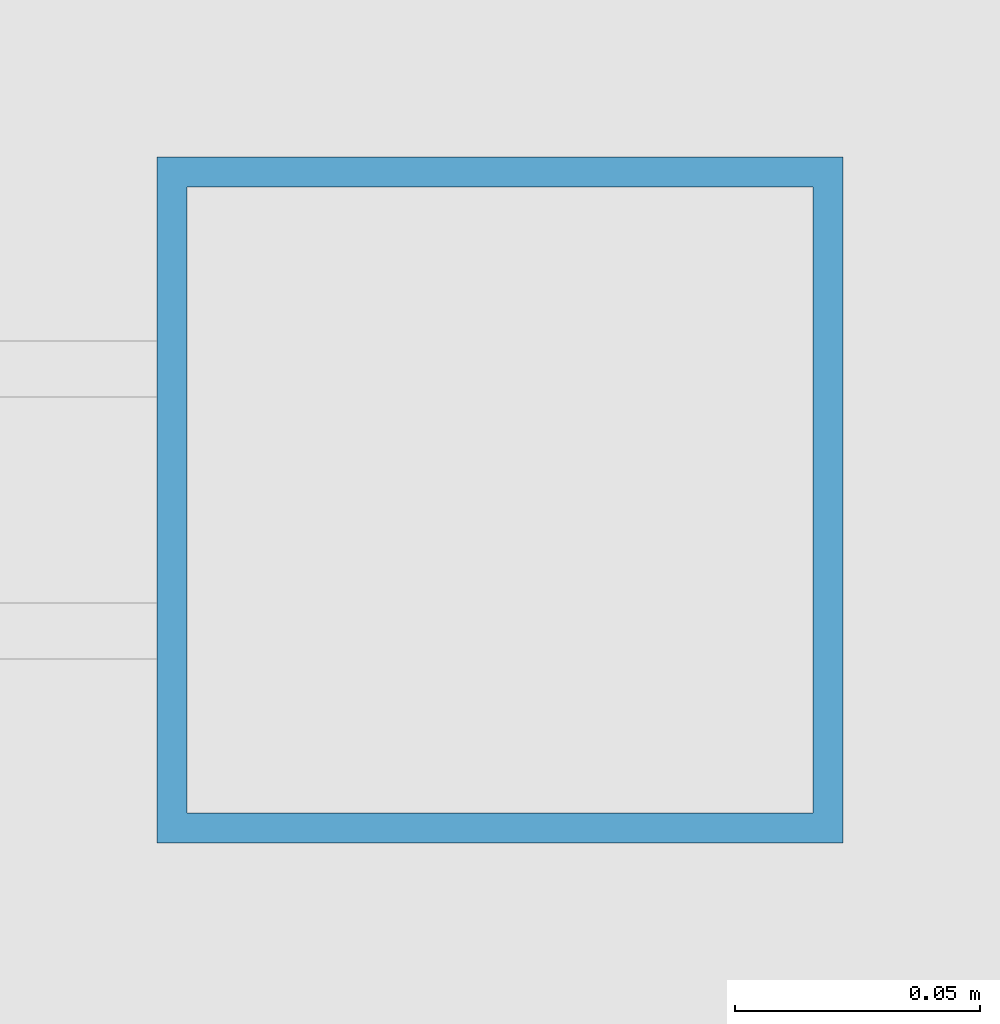
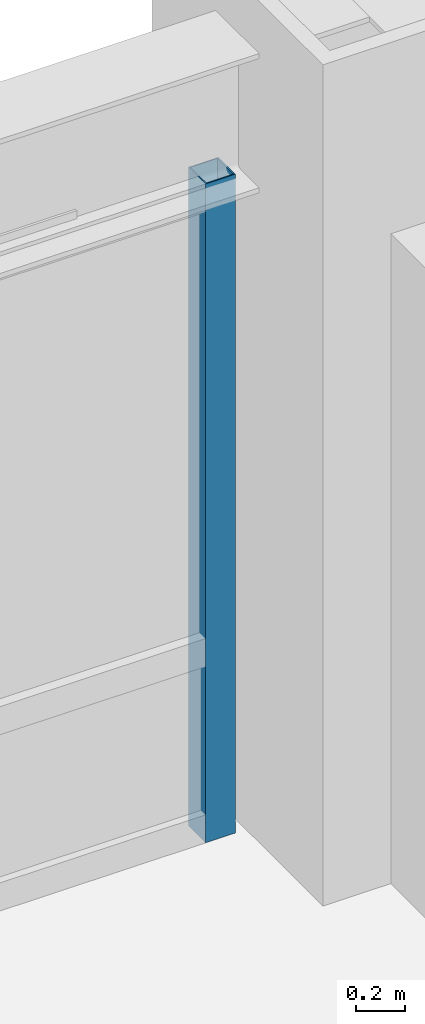
# One storey, part 21 of 32: 1 member, 1 element without a shape of its own.
"""IFC4 building model written with IfcOpenShell, lengths in metres."""

from ifc_helpers import new_model, si_unit, direction, frame, origin, origin_2d, place, context, subcontext, project, spatial, hollow_rectangle, extrude, source, transform, mapped, material, material_profile, profile_set, type_object, element, aggregate, save


model = new_model("IFC4")

# Units and contexts
model_context = context("Model", 3, precision=1e-05, world=origin(), true_north=direction((0.0, 1.0)))
body_context = subcontext(model_context, "Body", "Model", "MODEL_VIEW")
ifc_project = project(units=[si_unit("LENGTHUNIT", "METRE"), si_unit("AREAUNIT", "SQUARE_METRE"), si_unit("VOLUMEUNIT", "CUBIC_METRE"), si_unit("PLANEANGLEUNIT", "RADIAN"), si_unit("MASSUNIT", "GRAM", prefix="KILO")], contexts=[model_context])

# Site, building, storey
site_placement = place(None, origin())
site = spatial("IfcSite", under=ifc_project, at=site_placement, CompositionType="ELEMENT")
building_placement = place(site_placement, origin())
building = spatial("IfcBuilding", under=site, at=building_placement, Name="Khorayat Bourse Tower", CompositionType="ELEMENT")
storey_placement = place(building_placement, frame((0.0, 0.0, 78.800048828125)))
storey = spatial("IfcBuildingStorey", under=building, at=storey_placement, Name="L17", CompositionType="ELEMENT", Elevation=78.800048828125)

# Curtain wall, member
ifc_material = material(Name="Aluminium EN AW-6063 T6", Category="aluminium")
curtain_wall_type = type_object("IfcCurtainWallType", Name="CW-SYS-02", PredefinedType="NOTDEFINED", material=ifc_material)
curtain_wall_placement = place(storey_placement, origin())
curtain_wall = element("IfcCurtainWall", 1, at=curtain_wall_placement, inside=storey, type_object=curtain_wall_type, Name="L17 Curtain Wall CW-L17-N1", PredefinedType="NOTDEFINED")
ifc_material_profile = material_profile(ifc_material, hollow_rectangle(XDim=0.139892578125, YDim=0.139892578125, WallThickness=0.006103515625, at=origin_2d()), Name="ALU 140x140x6")
ifc_profile_set = profile_set([ifc_material_profile], Name="Aluminium EN AW-6063 T6")
member_type = type_object("IfcMemberType", Name="CWM-VERT-140", PredefinedType="MULLION", material=ifc_profile_set)
shared_shape = source(origin(), body_context, "Body", "SweptSolid", [
    extrude(hollow_rectangle(XDim=0.139892578125, YDim=0.139892578125, WallThickness=0.006103515625, at=origin_2d()), origin(), (0.0, 0.0, 1.0), 3.2900390625),
])
member_placement = place(storey_placement, frame((27.679931640625, 32.0, 0.0), z_axis=(0.0, 0.0, 1.0), x_axis=(0.0, 1.0, 0.0)))
member = element("IfcMember", 2, at=member_placement, type_object=member_type, Name="CW-L17-N1 Vertical Mullion 3", PredefinedType="MULLION", context=body_context, shape_type="MappedRepresentation", body=[
    mapped(shared_shape, transform((0.0, 0.0, 0.0), scale=1.0)),
])
aggregate(curtain_wall, [member])

save(model, "model.ifc")
